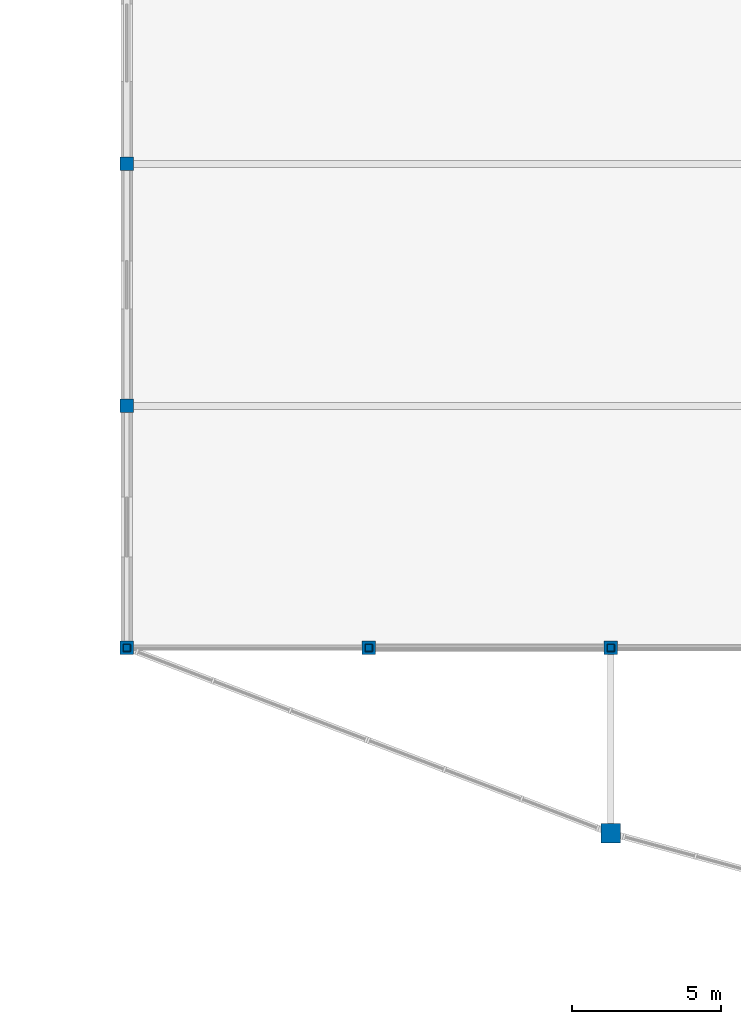
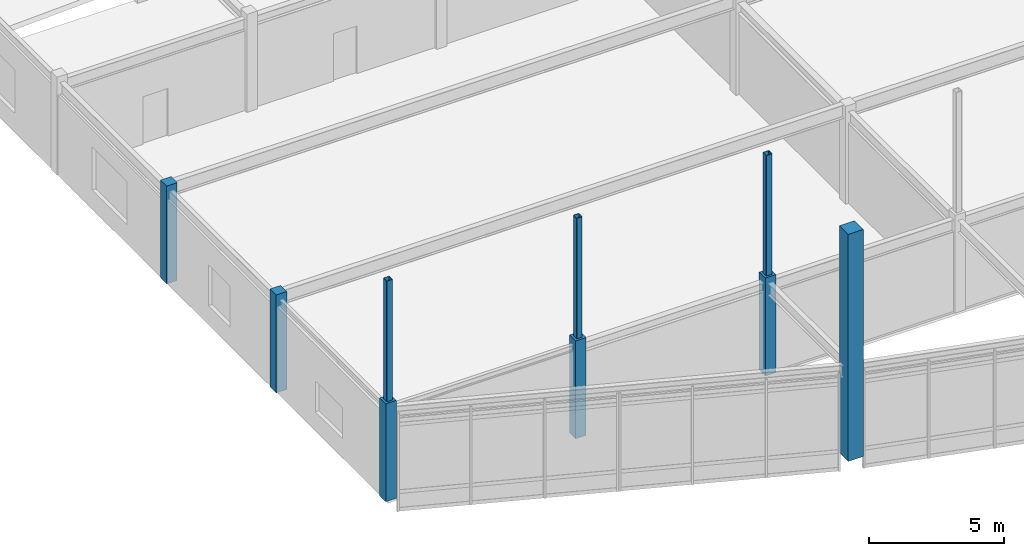
# One storey, part 1 of 89: 9 columns.
"""IFC4 building model written with IfcOpenShell, lengths in metres."""

from ifc_helpers import new_model, si_unit, direction, frame, origin, origin_2d, place, context, subcontext, project, spatial, rectangle, hollow_rectangle, extrude, material, material_profile, profile_set, type_object, element, save


model = new_model("IFC4")

# Units and contexts
model_context = context("Model", 3, precision=1e-05, world=origin(), true_north=direction((0.0, 1.0)))
body_context = subcontext(model_context, "Body", "Model", "MODEL_VIEW")
ifc_project = project(units=[si_unit("LENGTHUNIT", "METRE"), si_unit("AREAUNIT", "SQUARE_METRE"), si_unit("VOLUMEUNIT", "CUBIC_METRE"), si_unit("PLANEANGLEUNIT", "RADIAN"), si_unit("MASSUNIT", "GRAM", prefix="KILO")], contexts=[model_context])

# Site, building, storey
site_placement = place(None, origin())
site = spatial("IfcSite", under=ifc_project, at=site_placement, CompositionType="ELEMENT")
building_placement = place(site_placement, origin())
building = spatial("IfcBuilding", under=site, at=building_placement, Name="Vaudrelin Polytechnic", CompositionType="ELEMENT")
storey_placement = place(building_placement, frame((0.0, 0.0, 9.68994140625)))
storey = spatial("IfcBuildingStorey", under=building, at=storey_placement, Name="L02", CompositionType="ELEMENT", Elevation=9.68994140625)

# Columns
ifc_material_1 = material(Name="Steel CSA G40.21 350W", Category="steel")
ifc_material_profile_1 = material_profile(ifc_material_1, hollow_rectangle(XDim=0.25390625, YDim=0.25390625, WallThickness=0.0126953125, InnerFilletRadius=0.0126953125, OuterFilletRadius=0.025390625, at=origin_2d()), Name="HSS254x254x12.7")
ifc_profile_set_1 = profile_set([ifc_material_profile_1], Name="Steel CSA G40.21 350W")
column_type_1 = type_object("IfcColumnType", Name="COL-C-HSS254", PredefinedType="COLUMN", material=ifc_profile_set_1)
for number, where, z_axis, x_axis, name in (
    (1, (40.5, 0.0, 4.420166015625), (0.0, 0.0, 1.0), (1.0, 0.0, 0.0), "Lecture roof south crest post 5"),
    (2, (48.60009765625, 0.0, 4.420166015625), (0.0, 0.0, 1.0), (1.0, 0.0, 0.0), "Lecture roof south crest post 6"),
    (3, (56.699951171875, 0.0, 4.420166015625), (0.0, 0.0, 1.0), (1.0, 0.0, 0.0), "Lecture roof south crest post 7"),
):
    element("IfcColumn", number, at=place(storey_placement, frame(where, z_axis=z_axis, x_axis=x_axis)), inside=storey, type_object=column_type_1, Name=name, PredefinedType="COLUMN", context=body_context, shape_type="SweptSolid", body=[
        extrude(hollow_rectangle(XDim=0.25390625, YDim=0.25390625, WallThickness=0.0126953125, InnerFilletRadius=0.0126953125, OuterFilletRadius=0.025390625, at=origin_2d()), origin(), (0.0, 0.0, 1.0), 5.431884765625),
    ])
ifc_material_2 = material(Name="Concrete 40 MPa", Category="concrete")
ifc_material_profile_2 = material_profile(ifc_material_2, rectangle(XDim=0.449951171875, YDim=0.449951171875, at=origin_2d()), Name="RC450x450")
ifc_profile_set_2 = profile_set([ifc_material_profile_2], Name="Concrete 40 MPa")
column_type_2 = type_object("IfcColumnType", Name="COL-C-RC450", PredefinedType="COLUMN", material=ifc_profile_set_2)
for number, where, z_axis, x_axis, name in (
    (4, (40.5, 0.0, 0.0), (0.0, 0.0, 1.0), (1.0, 0.0, 0.0), "Column L02 6-1"),
    (5, (40.5, 8.10009765625, 0.0), (0.0, 0.0, 1.0), (1.0, 0.0, 0.0), "Column L02 6-2"),
    (6, (40.5, 16.199951171875, 0.0), (0.0, 0.0, 1.0), (1.0, 0.0, 0.0), "Column L02 6-3"),
    (7, (48.60009765625, 0.0, 0.0), (0.0, 0.0, 1.0), (1.0, 0.0, 0.0), "Column L02 7-1"),
    (8, (56.699951171875, 0.0, 0.0), (0.0, 0.0, 1.0), (1.0, 0.0, 0.0), "Column L02 8-1"),
):
    element("IfcColumn", number, at=place(storey_placement, frame(where, z_axis=z_axis, x_axis=x_axis)), inside=storey, type_object=column_type_2, Name=name, PredefinedType="COLUMN", context=body_context, shape_type="SweptSolid", body=[
        extrude(rectangle(XDim=0.449951171875, YDim=0.449951171875, at=origin_2d()), origin(), (0.0, 0.0, 1.0), 4.420166015625),
    ])
ifc_material_profile_3 = material_profile(ifc_material_2, rectangle(XDim=0.64990234375, YDim=0.64990234375, at=origin_2d()), Name="RC650x650")
ifc_profile_set_3 = profile_set([ifc_material_profile_3], Name="Concrete 40 MPa")
column_type_3 = type_object("IfcColumnType", Name="COL-C-RC650", PredefinedType="COLUMN", material=ifc_profile_set_3)
column_placement = place(storey_placement, frame((56.699951171875, -6.199951171875, 0.0), z_axis=(0.0, 0.0, 1.0), x_axis=(1.0, 0.0, 0.0)))
element("IfcColumn", 9, at=column_placement, inside=storey, type_object=column_type_3, Name="Deconstructivist column L02 V2P_7", PredefinedType="COLUMN", context=body_context, shape_type="SweptSolid", body=[
    extrude(rectangle(XDim=0.64990234375, YDim=0.64990234375, at=origin_2d()), origin(), (0.0, 0.0, 1.0), 10.2431640625),
])

save(model, "model.ifc")
